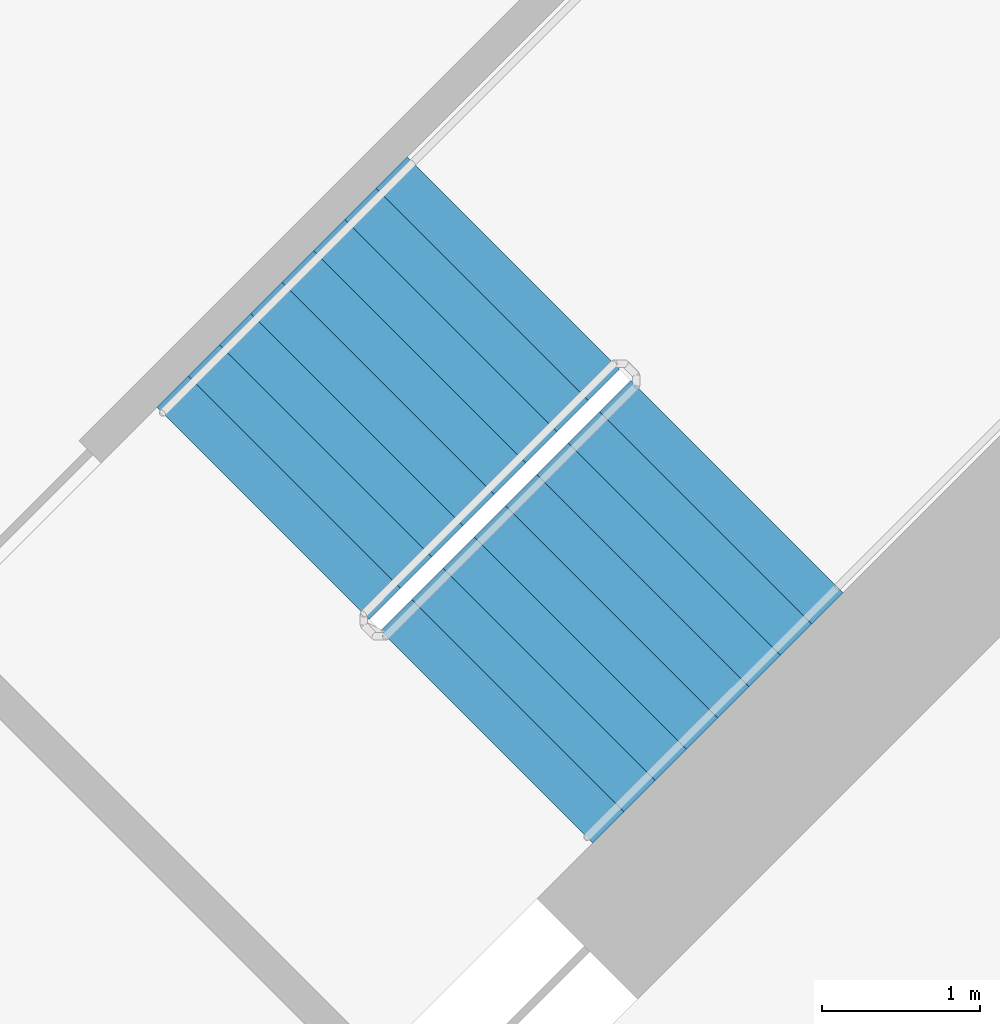
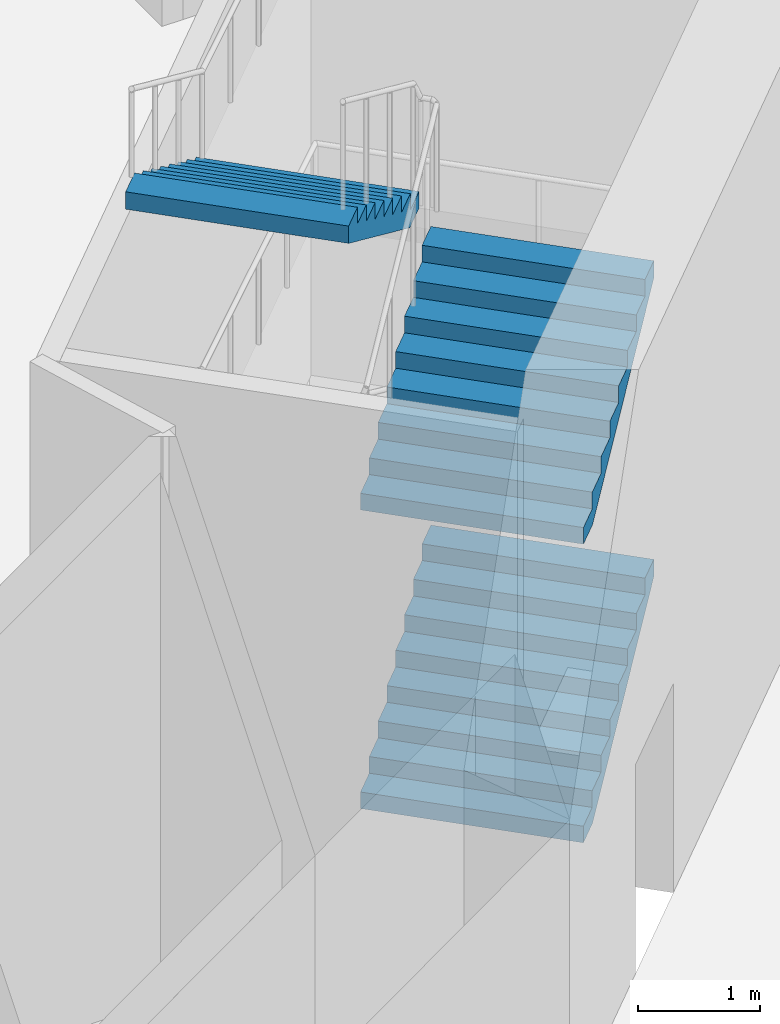
# One storey, part 16 of 29: 3 stair flights, 1 element without a shape of its own.
"""IFC4 building model written with IfcOpenShell, lengths in metres."""

from ifc_helpers import new_model, si_unit, direction, frame, origin, place, context, subcontext, project, spatial, triangles, material, type_object, element, aggregate, save


model = new_model("IFC4")

# Units and contexts
model_context = context("Model", 3, precision=1e-05, world=origin(), true_north=direction((0.0, 1.0)))
body_context = subcontext(model_context, "Body", "Model", "MODEL_VIEW")
ifc_project = project(units=[si_unit("LENGTHUNIT", "METRE"), si_unit("AREAUNIT", "SQUARE_METRE"), si_unit("VOLUMEUNIT", "CUBIC_METRE"), si_unit("PLANEANGLEUNIT", "RADIAN"), si_unit("MASSUNIT", "GRAM", prefix="KILO")], contexts=[model_context])

# Site, building, storey
site_placement = place(None, origin())
site = spatial("IfcSite", under=ifc_project, at=site_placement, CompositionType="ELEMENT")
building_placement = place(site_placement, origin())
building = spatial("IfcBuilding", under=site, at=building_placement, Name="Verdalira Terraces Hotel", CompositionType="ELEMENT")
storey_placement = place(building_placement, frame((0.0, 0.0, 8.0)))
storey = spatial("IfcBuildingStorey", under=building, at=storey_placement, Name="L01", CompositionType="ELEMENT", Elevation=8.0)

# Stair, stair flights
ifc_material_1 = material(Name="Concrete C40", Category="concrete")
stair_type = type_object("IfcStairType", Name="Core stair 36 risers 1900 mm wide", PredefinedType="HALF_TURN_STAIR", material=ifc_material_1)
stair_placement = place(storey_placement, origin())
stair = element("IfcStair", 1, at=stair_placement, inside=storey, type_object=stair_type, Name="L01 Exit stair ST3", PredefinedType="HALF_TURN_STAIR")
ifc_material_2 = material(Name="Concrete C40", Category="concrete")
stair_flight_type = type_object("IfcStairFlightType", Name="Core stair flight 36 risers 1900 mm wide", PredefinedType="STRAIGHT", material=ifc_material_2)
stair_flight_1_placement = place(storey_placement, frame((7.177246, -10.005615, 0.0), z_axis=(0.0, 0.0, 1.0), x_axis=(0.707106781, 0.707106781, 0.0)))
stair_flight_1 = element("IfcStairFlight", 2, at=stair_flight_1_placement, type_object=stair_flight_type, Name="ST3 flight 1", NumberOfRisers=9, NumberOfTreads=8, PredefinedType="STRAIGHT", RiserHeight=0.166666667, TreadLength=0.28, context=body_context, shape_type="Tessellation", body=[
    triangles([(0.0, 0.949951, 0.0), (0.292969, 0.949951, 0.0), (2.23999, 0.949951, 1.158936), (0.0, -0.949951, 0.0), (0.292969, -0.949951, 0.0), (2.23999, -0.949951, 1.158936), (2.23999, 0.949951, 1.333252), (1.959961, 0.949951, 1.333252), (2.23999, -0.949951, 1.333252), (1.959961, -0.949951, 1.333252), (1.959961, 0.949951, 1.166748), (1.959961, -0.949951, 1.166748), (1.679932, 0.949951, 1.166748), (1.679932, -0.949951, 1.166748), (1.679932, 0.949951, 1.0), (1.679932, -0.949951, 1.0), (1.399902, 0.949951, 1.0), (1.399902, 0.949951, 0.833252), (1.399902, -0.949951, 1.0), (1.399902, -0.949951, 0.833252), (1.120117, 0.949951, 0.833252), (1.120117, 0.949951, 0.666748), (1.120117, -0.949951, 0.833252), (1.120117, -0.949951, 0.666748), (0.840088, 0.949951, 0.666748), (0.840088, 0.949951, 0.5), (0.840088, -0.949951, 0.666748), (0.840088, -0.949951, 0.5), (0.560059, 0.949951, 0.5), (0.560059, 0.949951, 0.333252), (0.560059, -0.949951, 0.5), (0.560059, -0.949951, 0.333252), (0.280029, 0.949951, 0.333252), (0.280029, 0.949951, 0.166748), (0.280029, -0.949951, 0.333252), (0.280029, -0.949951, 0.166748), (0.0, 0.949951, 0.166748), (0.0, -0.949951, 0.166748), (0.0, -0.890579, 0.0), (0.0, -0.890579, 0.166748), (0.0, -0.831207, 0.0), (0.0, -0.831207, 0.166748), (0.0, -0.771835, 0.0), (0.0, -0.771835, 0.166748), (0.0, -0.712463, 0.0), (0.0, -0.712463, 0.166748), (0.0, -0.653091, 0.0), (0.0, -0.653091, 0.166748), (0.0, -0.593719, 0.0), (0.0, -0.593719, 0.166748), (0.0, -0.534348, 0.0), (0.0, -0.534348, 0.166748), (0.0, -0.474976, 0.0), (0.0, -0.474976, 0.166748), (0.0, -0.415604, 0.0), (0.0, -0.415604, 0.166748), (0.0, -0.356232, 0.0), (0.0, -0.356232, 0.166748), (0.0, -0.29686, 0.0), (0.0, -0.29686, 0.166748), (0.0, -0.237488, 0.0), (0.0, -0.237488, 0.166748), (0.0, -0.178116, 0.0), (0.0, -0.178116, 0.166748), (0.0, -0.118744, 0.0), (0.0, -0.118744, 0.166748), (0.0, -0.059372, 0.0), (0.0, -0.059372, 0.166748), (0.0, 0.0, 0.0), (0.0, 0.0, 0.166748), (0.0, 0.059372, 0.0), (0.0, 0.059372, 0.166748), (0.0, 0.118744, 0.0), (0.0, 0.118744, 0.166748), (0.0, 0.178116, 0.0), (0.0, 0.178116, 0.166748), (0.0, 0.237488, 0.0), (0.0, 0.237488, 0.166748), (0.0, 0.29686, 0.0), (0.0, 0.29686, 0.166748), (0.0, 0.356232, 0.0), (0.0, 0.356232, 0.166748), (0.0, 0.415604, 0.0), (0.0, 0.415604, 0.166748), (0.0, 0.474976, 0.0), (0.0, 0.474976, 0.166748), (0.0, 0.534348, 0.0), (0.0, 0.534348, 0.166748), (0.0, 0.593719, 0.0), (0.0, 0.593719, 0.166748), (0.0, 0.653091, 0.0), (0.0, 0.653091, 0.166748), (0.0, 0.712463, 0.0), (0.0, 0.712463, 0.166748), (0.0, 0.771835, 0.0), (0.0, 0.771835, 0.166748), (0.0, 0.831207, 0.0), (0.0, 0.831207, 0.166748), (0.0, 0.890579, 0.0), (0.0, 0.890579, 0.166748), (2.23999, -0.890579, 1.333252), (2.23999, -0.831207, 1.333252), (2.23999, -0.771835, 1.333252), (2.23999, -0.712463, 1.333252), (2.23999, -0.653091, 1.333252), (2.23999, -0.593719, 1.333252), (2.23999, -0.534348, 1.333252), (2.23999, -0.474976, 1.333252), (2.23999, -0.415604, 1.333252), (2.23999, -0.356232, 1.333252), (2.23999, -0.29686, 1.333252), (2.23999, -0.237488, 1.333252), (2.23999, -0.178116, 1.333252), (2.23999, -0.118744, 1.333252), (2.23999, -0.059372, 1.333252), (2.23999, 0.0, 1.333252), (2.23999, 0.059372, 1.333252), (2.23999, 0.118744, 1.333252), (2.23999, 0.178116, 1.333252), (2.23999, 0.237488, 1.333252), (2.23999, 0.29686, 1.333252), (2.23999, 0.356232, 1.333252), (2.23999, 0.415604, 1.333252), (2.23999, 0.474976, 1.333252), (2.23999, 0.534348, 1.333252), (2.23999, 0.593719, 1.333252), (2.23999, 0.653091, 1.333252), (2.23999, 0.712463, 1.333252), (2.23999, 0.771835, 1.333252), (2.23999, 0.831207, 1.333252), (2.23999, 0.890579, 1.333252), (2.23999, -0.890579, 1.158936), (2.23999, -0.831207, 1.158936), (2.23999, -0.771835, 1.158936), (2.23999, -0.712463, 1.158936), (2.23999, -0.653091, 1.158936), (2.23999, -0.593719, 1.158936), (2.23999, -0.534348, 1.158936), (2.23999, -0.474976, 1.158936), (2.23999, -0.415604, 1.158936), (2.23999, -0.356232, 1.158936), (2.23999, -0.29686, 1.158936), (2.23999, -0.237488, 1.158936), (2.23999, -0.178116, 1.158936), (2.23999, -0.118744, 1.158936), (2.23999, -0.059372, 1.158936), (2.23999, 0.0, 1.158936), (2.23999, 0.059372, 1.158936), (2.23999, 0.118744, 1.158936), (2.23999, 0.178116, 1.158936), (2.23999, 0.237488, 1.158936), (2.23999, 0.29686, 1.158936), (2.23999, 0.356232, 1.158936), (2.23999, 0.415604, 1.158936), (2.23999, 0.474976, 1.158936), (2.23999, 0.534348, 1.158936), (2.23999, 0.593719, 1.158936), (2.23999, 0.653091, 1.158936), (2.23999, 0.712463, 1.158936), (2.23999, 0.771835, 1.158936), (2.23999, 0.831207, 1.158936), (2.23999, 0.890579, 1.158936)], [[1, 3, 2], [4, 5, 6], [3, 8, 7], [6, 9, 10], [3, 11, 8], [6, 10, 12], [3, 13, 11], [6, 12, 14], [3, 15, 13], [6, 14, 16], [15, 18, 17], [16, 19, 20], [3, 18, 15], [6, 16, 20], [18, 22, 21], [20, 23, 24], [3, 22, 18], [6, 20, 24], [22, 26, 25], [24, 27, 28], [3, 26, 22], [6, 24, 28], [26, 30, 29], [28, 31, 32], [3, 30, 26], [6, 28, 32], [1, 30, 3], [4, 6, 32], [30, 34, 33], [32, 35, 36], [1, 34, 30], [4, 32, 36], [34, 1, 37], [36, 38, 4], [4, 40, 39], [4, 38, 40], [39, 42, 41], [39, 40, 42], [41, 44, 43], [41, 42, 44], [43, 46, 45], [43, 44, 46], [45, 48, 47], [45, 46, 48], [47, 50, 49], [47, 48, 50], [49, 52, 51], [49, 50, 52], [51, 54, 53], [51, 52, 54], [53, 56, 55], [53, 54, 56], [55, 58, 57], [55, 56, 58], [57, 60, 59], [57, 58, 60], [59, 62, 61], [59, 60, 62], [61, 64, 63], [61, 62, 64], [63, 66, 65], [63, 64, 66], [65, 68, 67], [65, 66, 68], [67, 70, 69], [67, 68, 70], [69, 72, 71], [69, 70, 72], [71, 74, 73], [71, 72, 74], [73, 76, 75], [73, 74, 76], [75, 78, 77], [75, 76, 78], [77, 80, 79], [77, 78, 80], [79, 82, 81], [79, 80, 82], [81, 84, 83], [81, 82, 84], [83, 86, 85], [83, 84, 86], [85, 88, 87], [85, 86, 88], [87, 90, 89], [87, 88, 90], [89, 92, 91], [89, 90, 92], [91, 94, 93], [91, 92, 94], [93, 96, 95], [93, 94, 96], [95, 98, 97], [95, 96, 98], [97, 100, 99], [97, 98, 100], [99, 37, 1], [99, 100, 37], [38, 36, 40], [40, 36, 42], [42, 36, 44], [44, 36, 46], [46, 36, 48], [48, 36, 50], [50, 36, 52], [52, 36, 54], [54, 36, 56], [56, 36, 58], [58, 36, 60], [60, 36, 62], [62, 36, 64], [64, 36, 66], [66, 36, 68], [68, 36, 70], [70, 36, 72], [72, 36, 74], [74, 36, 76], [76, 36, 78], [78, 36, 80], [80, 36, 82], [82, 36, 84], [84, 36, 86], [86, 36, 88], [88, 36, 90], [90, 36, 92], [92, 36, 94], [94, 36, 96], [96, 36, 98], [98, 36, 100], [100, 36, 37], [37, 36, 34], [36, 33, 34], [36, 35, 33], [35, 30, 33], [35, 32, 30], [32, 29, 30], [32, 31, 29], [31, 26, 29], [31, 28, 26], [28, 25, 26], [28, 27, 25], [27, 22, 25], [27, 24, 22], [24, 21, 22], [24, 23, 21], [23, 18, 21], [23, 20, 18], [20, 17, 18], [20, 19, 17], [19, 15, 17], [19, 16, 15], [16, 13, 15], [16, 14, 13], [14, 11, 13], [14, 12, 11], [12, 8, 11], [12, 10, 8], [9, 101, 10], [101, 102, 10], [102, 103, 10], [103, 104, 10], [104, 105, 10], [105, 106, 10], [106, 107, 10], [107, 108, 10], [108, 109, 10], [109, 110, 10], [110, 111, 10], [111, 112, 10], [112, 113, 10], [113, 114, 10], [114, 115, 10], [115, 116, 10], [116, 117, 10], [117, 118, 10], [118, 119, 10], [119, 120, 10], [120, 121, 10], [121, 122, 10], [122, 123, 10], [123, 124, 10], [124, 125, 10], [125, 126, 10], [126, 127, 10], [127, 128, 10], [128, 129, 10], [129, 130, 10], [130, 131, 10], [131, 7, 10], [7, 8, 10], [9, 132, 101], [9, 6, 132], [101, 133, 102], [101, 132, 133], [102, 134, 103], [102, 133, 134], [103, 135, 104], [103, 134, 135], [104, 136, 105], [104, 135, 136], [105, 137, 106], [105, 136, 137], [106, 138, 107], [106, 137, 138], [107, 139, 108], [107, 138, 139], [108, 140, 109], [108, 139, 140], [109, 141, 110], [109, 140, 141], [110, 142, 111], [110, 141, 142], [111, 143, 112], [111, 142, 143], [112, 144, 113], [112, 143, 144], [113, 145, 114], [113, 144, 145], [114, 146, 115], [114, 145, 146], [115, 147, 116], [115, 146, 147], [116, 148, 117], [116, 147, 148], [117, 149, 118], [117, 148, 149], [118, 150, 119], [118, 149, 150], [119, 151, 120], [119, 150, 151], [120, 152, 121], [120, 151, 152], [121, 153, 122], [121, 152, 153], [122, 154, 123], [122, 153, 154], [123, 155, 124], [123, 154, 155], [124, 156, 125], [124, 155, 156], [125, 157, 126], [125, 156, 157], [126, 158, 127], [126, 157, 158], [127, 159, 128], [127, 158, 159], [128, 160, 129], [128, 159, 160], [129, 161, 130], [129, 160, 161], [130, 162, 131], [130, 161, 162], [131, 3, 7], [131, 162, 3], [6, 5, 132], [132, 5, 133], [133, 5, 134], [134, 5, 135], [135, 5, 136], [136, 5, 137], [137, 5, 138], [138, 5, 139], [139, 5, 140], [140, 5, 141], [141, 5, 142], [142, 5, 143], [143, 5, 144], [144, 5, 145], [145, 5, 146], [146, 5, 147], [147, 5, 148], [148, 5, 149], [149, 5, 150], [150, 5, 151], [151, 5, 152], [152, 5, 153], [153, 5, 154], [154, 5, 155], [155, 5, 156], [156, 5, 157], [157, 5, 158], [158, 5, 159], [159, 5, 160], [160, 5, 161], [161, 5, 162], [162, 5, 3], [3, 5, 2], [4, 39, 5], [39, 41, 5], [41, 43, 5], [43, 45, 5], [45, 47, 5], [47, 49, 5], [49, 51, 5], [51, 53, 5], [53, 55, 5], [55, 57, 5], [57, 59, 5], [59, 61, 5], [61, 63, 5], [63, 65, 5], [65, 67, 5], [67, 69, 5], [69, 71, 5], [71, 73, 5], [73, 75, 5], [75, 77, 5], [77, 79, 5], [79, 81, 5], [81, 83, 5], [83, 85, 5], [85, 87, 5], [87, 89, 5], [89, 91, 5], [91, 93, 5], [93, 95, 5], [95, 97, 5], [97, 99, 5], [99, 1, 5], [1, 2, 5]], closed=True),
])
stair_flight_2_placement = place(storey_placement, frame((7.177246, -10.005615, 3.0), z_axis=(0.0, 0.0, 1.0), x_axis=(0.707106781, 0.707106781, 0.0)))
stair_flight_2 = element("IfcStairFlight", 3, at=stair_flight_2_placement, type_object=stair_flight_type, Name="ST3 flight 3", NumberOfRisers=9, NumberOfTreads=8, PredefinedType="STRAIGHT", RiserHeight=0.166666667, TreadLength=0.28, context=body_context, shape_type="Tessellation", body=[
    triangles([(0.0, 0.949951, 0.0), (0.292969, 0.949951, 0.0), (2.23999, 0.949951, 1.158936), (0.0, -0.949951, 0.0), (0.292969, -0.949951, 0.0), (2.23999, -0.949951, 1.158936), (2.23999, 0.949951, 1.333252), (1.959961, 0.949951, 1.333252), (2.23999, -0.949951, 1.333252), (1.959961, -0.949951, 1.333252), (1.959961, 0.949951, 1.166748), (1.959961, -0.949951, 1.166748), (1.679932, 0.949951, 1.166748), (1.679932, -0.949951, 1.166748), (1.679932, 0.949951, 1.0), (1.679932, -0.949951, 1.0), (1.399902, 0.949951, 1.0), (1.399902, 0.949951, 0.833252), (1.399902, -0.949951, 1.0), (1.399902, -0.949951, 0.833252), (1.120117, 0.949951, 0.833252), (1.120117, 0.949951, 0.666748), (1.120117, -0.949951, 0.833252), (1.120117, -0.949951, 0.666748), (0.840088, 0.949951, 0.666748), (0.840088, 0.949951, 0.5), (0.840088, -0.949951, 0.666748), (0.840088, -0.949951, 0.5), (0.560059, 0.949951, 0.5), (0.560059, 0.949951, 0.333252), (0.560059, -0.949951, 0.5), (0.560059, -0.949951, 0.333252), (0.280029, 0.949951, 0.333252), (0.280029, 0.949951, 0.166748), (0.280029, -0.949951, 0.333252), (0.280029, -0.949951, 0.166748), (0.0, 0.949951, 0.166748), (0.0, -0.949951, 0.166748), (0.0, -0.890579, 0.0), (0.0, -0.890579, 0.166748), (0.0, -0.831207, 0.0), (0.0, -0.831207, 0.166748), (0.0, -0.771835, 0.0), (0.0, -0.771835, 0.166748), (0.0, -0.712463, 0.0), (0.0, -0.712463, 0.166748), (0.0, -0.653091, 0.0), (0.0, -0.653091, 0.166748), (0.0, -0.593719, 0.0), (0.0, -0.593719, 0.166748), (0.0, -0.534348, 0.0), (0.0, -0.534348, 0.166748), (0.0, -0.474976, 0.0), (0.0, -0.474976, 0.166748), (0.0, -0.415604, 0.0), (0.0, -0.415604, 0.166748), (0.0, -0.356232, 0.0), (0.0, -0.356232, 0.166748), (0.0, -0.29686, 0.0), (0.0, -0.29686, 0.166748), (0.0, -0.237488, 0.0), (0.0, -0.237488, 0.166748), (0.0, -0.178116, 0.0), (0.0, -0.178116, 0.166748), (0.0, -0.118744, 0.0), (0.0, -0.118744, 0.166748), (0.0, -0.059372, 0.0), (0.0, -0.059372, 0.166748), (0.0, 0.0, 0.0), (0.0, 0.0, 0.166748), (0.0, 0.059372, 0.0), (0.0, 0.059372, 0.166748), (0.0, 0.118744, 0.0), (0.0, 0.118744, 0.166748), (0.0, 0.178116, 0.0), (0.0, 0.178116, 0.166748), (0.0, 0.237488, 0.0), (0.0, 0.237488, 0.166748), (0.0, 0.29686, 0.0), (0.0, 0.29686, 0.166748), (0.0, 0.356232, 0.0), (0.0, 0.356232, 0.166748), (0.0, 0.415604, 0.0), (0.0, 0.415604, 0.166748), (0.0, 0.474976, 0.0), (0.0, 0.474976, 0.166748), (0.0, 0.534348, 0.0), (0.0, 0.534348, 0.166748), (0.0, 0.593719, 0.0), (0.0, 0.593719, 0.166748), (0.0, 0.653091, 0.0), (0.0, 0.653091, 0.166748), (0.0, 0.712463, 0.0), (0.0, 0.712463, 0.166748), (0.0, 0.771835, 0.0), (0.0, 0.771835, 0.166748), (0.0, 0.831207, 0.0), (0.0, 0.831207, 0.166748), (0.0, 0.890579, 0.0), (0.0, 0.890579, 0.166748), (2.23999, -0.890579, 1.333252), (2.23999, -0.831207, 1.333252), (2.23999, -0.771835, 1.333252), (2.23999, -0.712463, 1.333252), (2.23999, -0.653091, 1.333252), (2.23999, -0.593719, 1.333252), (2.23999, -0.534348, 1.333252), (2.23999, -0.474976, 1.333252), (2.23999, -0.415604, 1.333252), (2.23999, -0.356232, 1.333252), (2.23999, -0.29686, 1.333252), (2.23999, -0.237488, 1.333252), (2.23999, -0.178116, 1.333252), (2.23999, -0.118744, 1.333252), (2.23999, -0.059372, 1.333252), (2.23999, 0.0, 1.333252), (2.23999, 0.059372, 1.333252), (2.23999, 0.118744, 1.333252), (2.23999, 0.178116, 1.333252), (2.23999, 0.237488, 1.333252), (2.23999, 0.29686, 1.333252), (2.23999, 0.356232, 1.333252), (2.23999, 0.415604, 1.333252), (2.23999, 0.474976, 1.333252), (2.23999, 0.534348, 1.333252), (2.23999, 0.593719, 1.333252), (2.23999, 0.653091, 1.333252), (2.23999, 0.712463, 1.333252), (2.23999, 0.771835, 1.333252), (2.23999, 0.831207, 1.333252), (2.23999, 0.890579, 1.333252), (2.23999, -0.890579, 1.158936), (2.23999, -0.831207, 1.158936), (2.23999, -0.771835, 1.158936), (2.23999, -0.712463, 1.158936), (2.23999, -0.653091, 1.158936), (2.23999, -0.593719, 1.158936), (2.23999, -0.534348, 1.158936), (2.23999, -0.474976, 1.158936), (2.23999, -0.415604, 1.158936), (2.23999, -0.356232, 1.158936), (2.23999, -0.29686, 1.158936), (2.23999, -0.237488, 1.158936), (2.23999, -0.178116, 1.158936), (2.23999, -0.118744, 1.158936), (2.23999, -0.059372, 1.158936), (2.23999, 0.0, 1.158936), (2.23999, 0.059372, 1.158936), (2.23999, 0.118744, 1.158936), (2.23999, 0.178116, 1.158936), (2.23999, 0.237488, 1.158936), (2.23999, 0.29686, 1.158936), (2.23999, 0.356232, 1.158936), (2.23999, 0.415604, 1.158936), (2.23999, 0.474976, 1.158936), (2.23999, 0.534348, 1.158936), (2.23999, 0.593719, 1.158936), (2.23999, 0.653091, 1.158936), (2.23999, 0.712463, 1.158936), (2.23999, 0.771835, 1.158936), (2.23999, 0.831207, 1.158936), (2.23999, 0.890579, 1.158936)], [[1, 3, 2], [4, 5, 6], [3, 8, 7], [6, 9, 10], [3, 11, 8], [6, 10, 12], [3, 13, 11], [6, 12, 14], [3, 15, 13], [6, 14, 16], [15, 18, 17], [16, 19, 20], [3, 18, 15], [6, 16, 20], [18, 22, 21], [20, 23, 24], [3, 22, 18], [6, 20, 24], [22, 26, 25], [24, 27, 28], [3, 26, 22], [6, 24, 28], [26, 30, 29], [28, 31, 32], [3, 30, 26], [6, 28, 32], [1, 30, 3], [4, 6, 32], [30, 34, 33], [32, 35, 36], [1, 34, 30], [4, 32, 36], [34, 1, 37], [36, 38, 4], [4, 40, 39], [4, 38, 40], [39, 42, 41], [39, 40, 42], [41, 44, 43], [41, 42, 44], [43, 46, 45], [43, 44, 46], [45, 48, 47], [45, 46, 48], [47, 50, 49], [47, 48, 50], [49, 52, 51], [49, 50, 52], [51, 54, 53], [51, 52, 54], [53, 56, 55], [53, 54, 56], [55, 58, 57], [55, 56, 58], [57, 60, 59], [57, 58, 60], [59, 62, 61], [59, 60, 62], [61, 64, 63], [61, 62, 64], [63, 66, 65], [63, 64, 66], [65, 68, 67], [65, 66, 68], [67, 70, 69], [67, 68, 70], [69, 72, 71], [69, 70, 72], [71, 74, 73], [71, 72, 74], [73, 76, 75], [73, 74, 76], [75, 78, 77], [75, 76, 78], [77, 80, 79], [77, 78, 80], [79, 82, 81], [79, 80, 82], [81, 84, 83], [81, 82, 84], [83, 86, 85], [83, 84, 86], [85, 88, 87], [85, 86, 88], [87, 90, 89], [87, 88, 90], [89, 92, 91], [89, 90, 92], [91, 94, 93], [91, 92, 94], [93, 96, 95], [93, 94, 96], [95, 98, 97], [95, 96, 98], [97, 100, 99], [97, 98, 100], [99, 37, 1], [99, 100, 37], [38, 36, 40], [40, 36, 42], [42, 36, 44], [44, 36, 46], [46, 36, 48], [48, 36, 50], [50, 36, 52], [52, 36, 54], [54, 36, 56], [56, 36, 58], [58, 36, 60], [60, 36, 62], [62, 36, 64], [64, 36, 66], [66, 36, 68], [68, 36, 70], [70, 36, 72], [72, 36, 74], [74, 36, 76], [76, 36, 78], [78, 36, 80], [80, 36, 82], [82, 36, 84], [84, 36, 86], [86, 36, 88], [88, 36, 90], [90, 36, 92], [92, 36, 94], [94, 36, 96], [96, 36, 98], [98, 36, 100], [100, 36, 37], [37, 36, 34], [36, 33, 34], [36, 35, 33], [35, 30, 33], [35, 32, 30], [32, 29, 30], [32, 31, 29], [31, 26, 29], [31, 28, 26], [28, 25, 26], [28, 27, 25], [27, 22, 25], [27, 24, 22], [24, 21, 22], [24, 23, 21], [23, 18, 21], [23, 20, 18], [20, 17, 18], [20, 19, 17], [19, 15, 17], [19, 16, 15], [16, 13, 15], [16, 14, 13], [14, 11, 13], [14, 12, 11], [12, 8, 11], [12, 10, 8], [9, 101, 10], [101, 102, 10], [102, 103, 10], [103, 104, 10], [104, 105, 10], [105, 106, 10], [106, 107, 10], [107, 108, 10], [108, 109, 10], [109, 110, 10], [110, 111, 10], [111, 112, 10], [112, 113, 10], [113, 114, 10], [114, 115, 10], [115, 116, 10], [116, 117, 10], [117, 118, 10], [118, 119, 10], [119, 120, 10], [120, 121, 10], [121, 122, 10], [122, 123, 10], [123, 124, 10], [124, 125, 10], [125, 126, 10], [126, 127, 10], [127, 128, 10], [128, 129, 10], [129, 130, 10], [130, 131, 10], [131, 7, 10], [7, 8, 10], [9, 132, 101], [9, 6, 132], [101, 133, 102], [101, 132, 133], [102, 134, 103], [102, 133, 134], [103, 135, 104], [103, 134, 135], [104, 136, 105], [104, 135, 136], [105, 137, 106], [105, 136, 137], [106, 138, 107], [106, 137, 138], [107, 139, 108], [107, 138, 139], [108, 140, 109], [108, 139, 140], [109, 141, 110], [109, 140, 141], [110, 142, 111], [110, 141, 142], [111, 143, 112], [111, 142, 143], [112, 144, 113], [112, 143, 144], [113, 145, 114], [113, 144, 145], [114, 146, 115], [114, 145, 146], [115, 147, 116], [115, 146, 147], [116, 148, 117], [116, 147, 148], [117, 149, 118], [117, 148, 149], [118, 150, 119], [118, 149, 150], [119, 151, 120], [119, 150, 151], [120, 152, 121], [120, 151, 152], [121, 153, 122], [121, 152, 153], [122, 154, 123], [122, 153, 154], [123, 155, 124], [123, 154, 155], [124, 156, 125], [124, 155, 156], [125, 157, 126], [125, 156, 157], [126, 158, 127], [126, 157, 158], [127, 159, 128], [127, 158, 159], [128, 160, 129], [128, 159, 160], [129, 161, 130], [129, 160, 161], [130, 162, 131], [130, 161, 162], [131, 3, 7], [131, 162, 3], [6, 5, 132], [132, 5, 133], [133, 5, 134], [134, 5, 135], [135, 5, 136], [136, 5, 137], [137, 5, 138], [138, 5, 139], [139, 5, 140], [140, 5, 141], [141, 5, 142], [142, 5, 143], [143, 5, 144], [144, 5, 145], [145, 5, 146], [146, 5, 147], [147, 5, 148], [148, 5, 149], [149, 5, 150], [150, 5, 151], [151, 5, 152], [152, 5, 153], [153, 5, 154], [154, 5, 155], [155, 5, 156], [156, 5, 157], [157, 5, 158], [158, 5, 159], [159, 5, 160], [160, 5, 161], [161, 5, 162], [162, 5, 3], [3, 5, 2], [4, 39, 5], [39, 41, 5], [41, 43, 5], [43, 45, 5], [45, 47, 5], [47, 49, 5], [49, 51, 5], [51, 53, 5], [53, 55, 5], [55, 57, 5], [57, 59, 5], [59, 61, 5], [61, 63, 5], [63, 65, 5], [65, 67, 5], [67, 69, 5], [69, 71, 5], [71, 73, 5], [73, 75, 5], [75, 77, 5], [77, 79, 5], [79, 81, 5], [81, 83, 5], [83, 85, 5], [85, 87, 5], [87, 89, 5], [89, 91, 5], [91, 93, 5], [93, 95, 5], [95, 97, 5], [97, 99, 5], [99, 1, 5], [1, 2, 5]], closed=True),
])
stair_flight_3_placement = place(storey_placement, frame((7.346924, -7.007324, 4.5), z_axis=(0.0, 0.0, 1.0), x_axis=(-0.707106781, -0.707106781, 0.0)))
stair_flight_3 = element("IfcStairFlight", 4, at=stair_flight_3_placement, type_object=stair_flight_type, Name="ST3 flight 4", NumberOfRisers=9, NumberOfTreads=8, PredefinedType="STRAIGHT", RiserHeight=0.166666667, TreadLength=0.28, context=body_context, shape_type="Tessellation", body=[
    triangles([(0.0, 0.949951, 0.0), (0.292969, 0.949951, 0.0), (2.23999, 0.949951, 1.158936), (0.0, -0.949951, 0.0), (0.292969, -0.949951, 0.0), (2.23999, -0.949951, 1.158936), (2.23999, 0.949951, 1.333252), (1.959961, 0.949951, 1.333252), (2.23999, -0.949951, 1.333252), (1.959961, -0.949951, 1.333252), (1.959961, 0.949951, 1.166748), (1.959961, -0.949951, 1.166748), (1.679932, 0.949951, 1.166748), (1.679932, -0.949951, 1.166748), (1.679932, 0.949951, 1.0), (1.679932, -0.949951, 1.0), (1.399902, 0.949951, 1.0), (1.399902, 0.949951, 0.833252), (1.399902, -0.949951, 1.0), (1.399902, -0.949951, 0.833252), (1.120117, 0.949951, 0.833252), (1.120117, 0.949951, 0.666748), (1.120117, -0.949951, 0.833252), (1.120117, -0.949951, 0.666748), (0.840088, 0.949951, 0.666748), (0.840088, 0.949951, 0.5), (0.840088, -0.949951, 0.666748), (0.840088, -0.949951, 0.5), (0.560059, 0.949951, 0.5), (0.560059, 0.949951, 0.333252), (0.560059, -0.949951, 0.5), (0.560059, -0.949951, 0.333252), (0.280029, 0.949951, 0.333252), (0.280029, 0.949951, 0.166748), (0.280029, -0.949951, 0.333252), (0.280029, -0.949951, 0.166748), (0.0, 0.949951, 0.166748), (0.0, -0.949951, 0.166748), (0.0, -0.890579, 0.0), (0.0, -0.890579, 0.166748), (0.0, -0.831207, 0.0), (0.0, -0.831207, 0.166748), (0.0, -0.771835, 0.0), (0.0, -0.771835, 0.166748), (0.0, -0.712463, 0.0), (0.0, -0.712463, 0.166748), (0.0, -0.653091, 0.0), (0.0, -0.653091, 0.166748), (0.0, -0.593719, 0.0), (0.0, -0.593719, 0.166748), (0.0, -0.534348, 0.0), (0.0, -0.534348, 0.166748), (0.0, -0.474976, 0.0), (0.0, -0.474976, 0.166748), (0.0, -0.415604, 0.0), (0.0, -0.415604, 0.166748), (0.0, -0.356232, 0.0), (0.0, -0.356232, 0.166748), (0.0, -0.29686, 0.0), (0.0, -0.29686, 0.166748), (0.0, -0.237488, 0.0), (0.0, -0.237488, 0.166748), (0.0, -0.178116, 0.0), (0.0, -0.178116, 0.166748), (0.0, -0.118744, 0.0), (0.0, -0.118744, 0.166748), (0.0, -0.059372, 0.0), (0.0, -0.059372, 0.166748), (0.0, 0.0, 0.0), (0.0, 0.0, 0.166748), (0.0, 0.059372, 0.0), (0.0, 0.059372, 0.166748), (0.0, 0.118744, 0.0), (0.0, 0.118744, 0.166748), (0.0, 0.178116, 0.0), (0.0, 0.178116, 0.166748), (0.0, 0.237488, 0.0), (0.0, 0.237488, 0.166748), (0.0, 0.29686, 0.0), (0.0, 0.29686, 0.166748), (0.0, 0.356232, 0.0), (0.0, 0.356232, 0.166748), (0.0, 0.415604, 0.0), (0.0, 0.415604, 0.166748), (0.0, 0.474976, 0.0), (0.0, 0.474976, 0.166748), (0.0, 0.534348, 0.0), (0.0, 0.534348, 0.166748), (0.0, 0.593719, 0.0), (0.0, 0.593719, 0.166748), (0.0, 0.653091, 0.0), (0.0, 0.653091, 0.166748), (0.0, 0.712463, 0.0), (0.0, 0.712463, 0.166748), (0.0, 0.771835, 0.0), (0.0, 0.771835, 0.166748), (0.0, 0.831207, 0.0), (0.0, 0.831207, 0.166748), (0.0, 0.890579, 0.0), (0.0, 0.890579, 0.166748), (2.23999, -0.890579, 1.333252), (2.23999, -0.831207, 1.333252), (2.23999, -0.771835, 1.333252), (2.23999, -0.712463, 1.333252), (2.23999, -0.653091, 1.333252), (2.23999, -0.593719, 1.333252), (2.23999, -0.534348, 1.333252), (2.23999, -0.474976, 1.333252), (2.23999, -0.415604, 1.333252), (2.23999, -0.356232, 1.333252), (2.23999, -0.29686, 1.333252), (2.23999, -0.237488, 1.333252), (2.23999, -0.178116, 1.333252), (2.23999, -0.118744, 1.333252), (2.23999, -0.059372, 1.333252), (2.23999, 0.0, 1.333252), (2.23999, 0.059372, 1.333252), (2.23999, 0.118744, 1.333252), (2.23999, 0.178116, 1.333252), (2.23999, 0.237488, 1.333252), (2.23999, 0.29686, 1.333252), (2.23999, 0.356232, 1.333252), (2.23999, 0.415604, 1.333252), (2.23999, 0.474976, 1.333252), (2.23999, 0.534348, 1.333252), (2.23999, 0.593719, 1.333252), (2.23999, 0.653091, 1.333252), (2.23999, 0.712463, 1.333252), (2.23999, 0.771835, 1.333252), (2.23999, 0.831207, 1.333252), (2.23999, 0.890579, 1.333252), (2.23999, -0.890579, 1.158936), (2.23999, -0.831207, 1.158936), (2.23999, -0.771835, 1.158936), (2.23999, -0.712463, 1.158936), (2.23999, -0.653091, 1.158936), (2.23999, -0.593719, 1.158936), (2.23999, -0.534348, 1.158936), (2.23999, -0.474976, 1.158936), (2.23999, -0.415604, 1.158936), (2.23999, -0.356232, 1.158936), (2.23999, -0.29686, 1.158936), (2.23999, -0.237488, 1.158936), (2.23999, -0.178116, 1.158936), (2.23999, -0.118744, 1.158936), (2.23999, -0.059372, 1.158936), (2.23999, 0.0, 1.158936), (2.23999, 0.059372, 1.158936), (2.23999, 0.118744, 1.158936), (2.23999, 0.178116, 1.158936), (2.23999, 0.237488, 1.158936), (2.23999, 0.29686, 1.158936), (2.23999, 0.356232, 1.158936), (2.23999, 0.415604, 1.158936), (2.23999, 0.474976, 1.158936), (2.23999, 0.534348, 1.158936), (2.23999, 0.593719, 1.158936), (2.23999, 0.653091, 1.158936), (2.23999, 0.712463, 1.158936), (2.23999, 0.771835, 1.158936), (2.23999, 0.831207, 1.158936), (2.23999, 0.890579, 1.158936)], [[1, 3, 2], [4, 5, 6], [3, 8, 7], [6, 9, 10], [3, 11, 8], [6, 10, 12], [3, 13, 11], [6, 12, 14], [3, 15, 13], [6, 14, 16], [15, 18, 17], [16, 19, 20], [3, 18, 15], [6, 16, 20], [18, 22, 21], [20, 23, 24], [3, 22, 18], [6, 20, 24], [22, 26, 25], [24, 27, 28], [3, 26, 22], [6, 24, 28], [26, 30, 29], [28, 31, 32], [3, 30, 26], [6, 28, 32], [1, 30, 3], [4, 6, 32], [30, 34, 33], [32, 35, 36], [1, 34, 30], [4, 32, 36], [34, 1, 37], [36, 38, 4], [4, 40, 39], [4, 38, 40], [39, 42, 41], [39, 40, 42], [41, 44, 43], [41, 42, 44], [43, 46, 45], [43, 44, 46], [45, 48, 47], [45, 46, 48], [47, 50, 49], [47, 48, 50], [49, 52, 51], [49, 50, 52], [51, 54, 53], [51, 52, 54], [53, 56, 55], [53, 54, 56], [55, 58, 57], [55, 56, 58], [57, 60, 59], [57, 58, 60], [59, 62, 61], [59, 60, 62], [61, 64, 63], [61, 62, 64], [63, 66, 65], [63, 64, 66], [65, 68, 67], [65, 66, 68], [67, 70, 69], [67, 68, 70], [69, 72, 71], [69, 70, 72], [71, 74, 73], [71, 72, 74], [73, 76, 75], [73, 74, 76], [75, 78, 77], [75, 76, 78], [77, 80, 79], [77, 78, 80], [79, 82, 81], [79, 80, 82], [81, 84, 83], [81, 82, 84], [83, 86, 85], [83, 84, 86], [85, 88, 87], [85, 86, 88], [87, 90, 89], [87, 88, 90], [89, 92, 91], [89, 90, 92], [91, 94, 93], [91, 92, 94], [93, 96, 95], [93, 94, 96], [95, 98, 97], [95, 96, 98], [97, 100, 99], [97, 98, 100], [99, 37, 1], [99, 100, 37], [38, 36, 40], [40, 36, 42], [42, 36, 44], [44, 36, 46], [46, 36, 48], [48, 36, 50], [50, 36, 52], [52, 36, 54], [54, 36, 56], [56, 36, 58], [58, 36, 60], [60, 36, 62], [62, 36, 64], [64, 36, 66], [66, 36, 68], [68, 36, 70], [70, 36, 72], [72, 36, 74], [74, 36, 76], [76, 36, 78], [78, 36, 80], [80, 36, 82], [82, 36, 84], [84, 36, 86], [86, 36, 88], [88, 36, 90], [90, 36, 92], [92, 36, 94], [94, 36, 96], [96, 36, 98], [98, 36, 100], [100, 36, 37], [37, 36, 34], [36, 33, 34], [36, 35, 33], [35, 30, 33], [35, 32, 30], [32, 29, 30], [32, 31, 29], [31, 26, 29], [31, 28, 26], [28, 25, 26], [28, 27, 25], [27, 22, 25], [27, 24, 22], [24, 21, 22], [24, 23, 21], [23, 18, 21], [23, 20, 18], [20, 17, 18], [20, 19, 17], [19, 15, 17], [19, 16, 15], [16, 13, 15], [16, 14, 13], [14, 11, 13], [14, 12, 11], [12, 8, 11], [12, 10, 8], [9, 101, 10], [101, 102, 10], [102, 103, 10], [103, 104, 10], [104, 105, 10], [105, 106, 10], [106, 107, 10], [107, 108, 10], [108, 109, 10], [109, 110, 10], [110, 111, 10], [111, 112, 10], [112, 113, 10], [113, 114, 10], [114, 115, 10], [115, 116, 10], [116, 117, 10], [117, 118, 10], [118, 119, 10], [119, 120, 10], [120, 121, 10], [121, 122, 10], [122, 123, 10], [123, 124, 10], [124, 125, 10], [125, 126, 10], [126, 127, 10], [127, 128, 10], [128, 129, 10], [129, 130, 10], [130, 131, 10], [131, 7, 10], [7, 8, 10], [9, 132, 101], [9, 6, 132], [101, 133, 102], [101, 132, 133], [102, 134, 103], [102, 133, 134], [103, 135, 104], [103, 134, 135], [104, 136, 105], [104, 135, 136], [105, 137, 106], [105, 136, 137], [106, 138, 107], [106, 137, 138], [107, 139, 108], [107, 138, 139], [108, 140, 109], [108, 139, 140], [109, 141, 110], [109, 140, 141], [110, 142, 111], [110, 141, 142], [111, 143, 112], [111, 142, 143], [112, 144, 113], [112, 143, 144], [113, 145, 114], [113, 144, 145], [114, 146, 115], [114, 145, 146], [115, 147, 116], [115, 146, 147], [116, 148, 117], [116, 147, 148], [117, 149, 118], [117, 148, 149], [118, 150, 119], [118, 149, 150], [119, 151, 120], [119, 150, 151], [120, 152, 121], [120, 151, 152], [121, 153, 122], [121, 152, 153], [122, 154, 123], [122, 153, 154], [123, 155, 124], [123, 154, 155], [124, 156, 125], [124, 155, 156], [125, 157, 126], [125, 156, 157], [126, 158, 127], [126, 157, 158], [127, 159, 128], [127, 158, 159], [128, 160, 129], [128, 159, 160], [129, 161, 130], [129, 160, 161], [130, 162, 131], [130, 161, 162], [131, 3, 7], [131, 162, 3], [6, 5, 132], [132, 5, 133], [133, 5, 134], [134, 5, 135], [135, 5, 136], [136, 5, 137], [137, 5, 138], [138, 5, 139], [139, 5, 140], [140, 5, 141], [141, 5, 142], [142, 5, 143], [143, 5, 144], [144, 5, 145], [145, 5, 146], [146, 5, 147], [147, 5, 148], [148, 5, 149], [149, 5, 150], [150, 5, 151], [151, 5, 152], [152, 5, 153], [153, 5, 154], [154, 5, 155], [155, 5, 156], [156, 5, 157], [157, 5, 158], [158, 5, 159], [159, 5, 160], [160, 5, 161], [161, 5, 162], [162, 5, 3], [3, 5, 2], [4, 39, 5], [39, 41, 5], [41, 43, 5], [43, 45, 5], [45, 47, 5], [47, 49, 5], [49, 51, 5], [51, 53, 5], [53, 55, 5], [55, 57, 5], [57, 59, 5], [59, 61, 5], [61, 63, 5], [63, 65, 5], [65, 67, 5], [67, 69, 5], [69, 71, 5], [71, 73, 5], [73, 75, 5], [75, 77, 5], [77, 79, 5], [79, 81, 5], [81, 83, 5], [83, 85, 5], [85, 87, 5], [87, 89, 5], [89, 91, 5], [91, 93, 5], [93, 95, 5], [95, 97, 5], [97, 99, 5], [99, 1, 5], [1, 2, 5]], closed=True),
])
aggregate(stair, [stair_flight_1, stair_flight_2, stair_flight_3])

save(model, "model.ifc")
